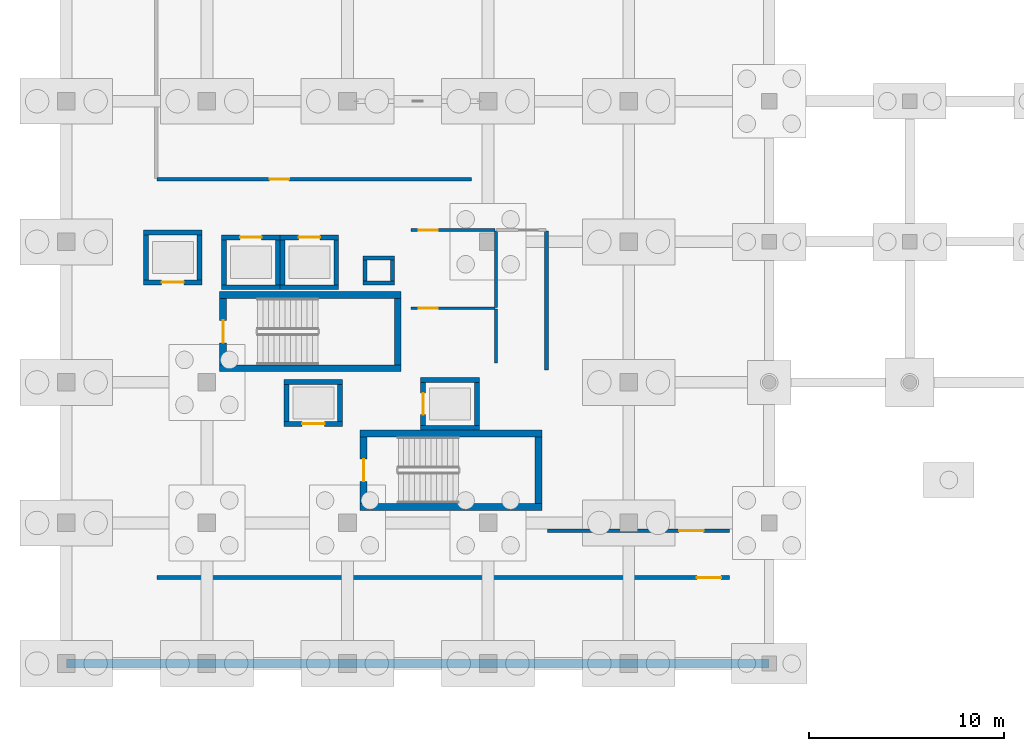
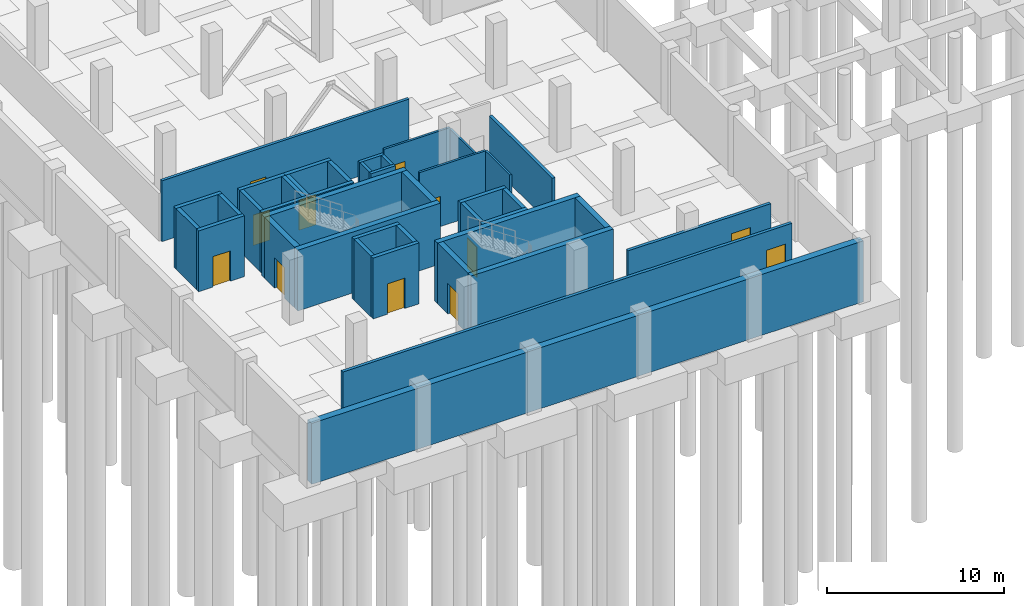
# One storey, part 26 of 36: 41 walls, 12 doors, 12 openings.
"""IFC4 building model written with IfcOpenShell, lengths in metres."""

from ifc_helpers import new_model, si_unit, direction, frame, frame_2d, origin, origin_with_axes, place, context, subcontext, project, spatial, rectangle, extrude, material, layer, layer_set, type_object, element, fill, save


model = new_model("IFC4")

# Units and contexts
model_context = context("Model", 3, precision=1e-05, world=origin(), true_north=direction((0.0, 1.0)))
body_context = subcontext(model_context, "Body", "Model", "MODEL_VIEW")
ifc_project = project(units=[si_unit("LENGTHUNIT", "METRE"), si_unit("AREAUNIT", "SQUARE_METRE"), si_unit("VOLUMEUNIT", "CUBIC_METRE"), si_unit("PLANEANGLEUNIT", "RADIAN"), si_unit("MASSUNIT", "GRAM", prefix="KILO")], contexts=[model_context])

# Site, building, storey
site_placement = place(None, origin())
site = spatial("IfcSite", under=ifc_project, at=site_placement, CompositionType="ELEMENT")
building_placement = place(site_placement, origin())
building = spatial("IfcBuilding", under=site, at=building_placement, Name="Kalmorath City Hall", CompositionType="ELEMENT")
storey_placement = place(building_placement, frame((0.0, 0.0, -4.5)))
storey = spatial("IfcBuildingStorey", under=building, at=storey_placement, Name="B1", CompositionType="ELEMENT", Elevation=-4.5)

# Walls
ifc_material_1 = material(Name="Concrete C40/50", Category="concrete")
ifc_layer_1 = layer(ifc_material_1, 0.449951171875)
ifc_layer_set_1 = layer_set([ifc_layer_1], Name="Concrete C40/50")
wall_type_1 = type_object("IfcWallType", Name="Concrete basement retaining wall 450", PredefinedType="USERDEFINED", material=ifc_layer_set_1)
wall_1_placement = place(storey_placement, origin_with_axes())
element("IfcWall", 1, at=wall_1_placement, inside=storey, type_object=wall_type_1, Name="B1 retaining wall RW2-1", ObjectType="RETAININGWALL", PredefinedType="USERDEFINED", context=body_context, shape_type="SweptSolid", body=[
    extrude(rectangle(XDim=36.0, YDim=0.449951171875, at=frame_2d((18.0, 0.0))), origin(), (0.0, 0.0, 1.0), 4.199951171875),
])
ifc_material_2 = material(Name="Concrete C50/60", Category="concrete")
ifc_layer_2 = layer(ifc_material_2, 0.35009765625)
ifc_layer_set_2 = layer_set([ifc_layer_2], Name="Concrete C50/60")
wall_type_2 = type_object("IfcWallType", Name="Concrete core shear wall 350", PredefinedType="SHEAR", material=ifc_layer_set_2)
for number, where, z_axis, x_axis, name in (
    (2, (7.85009765625, 15.125, 0.0), (0.0, 0.0, 1.0), (1.0, 0.0, 0.0), "B1 C1 stair core shear wall S"),
    (3, (17.14990234375, 18.875, 0.0), (0.0, 0.0, 1.0), (-1.0, 0.0, 0.0), "B1 C1 stair core shear wall N"),
):
    element("IfcWall", number, at=place(storey_placement, frame(where, z_axis=z_axis, x_axis=x_axis)), inside=storey, type_object=wall_type_2, Name=name, PredefinedType="SHEAR", context=body_context, shape_type="SweptSolid", body=[
        extrude(rectangle(XDim=9.2998046875, YDim=0.35009765625, at=frame_2d((4.64990234375, 0.0))), origin(), (0.0, 0.0, 1.0), 4.199951171875),
    ])

# Wall, opening, door
wall_2_placement = place(storey_placement, frame((8.02490234375, 18.699951171875, 0.0), z_axis=(0.0, 0.0, 1.0), x_axis=(0.0, -1.0, 0.0)))
wall_2 = element("IfcWall", 4, at=wall_2_placement, inside=storey, type_object=wall_type_2, Name="B1 C1 stair core shear wall W", PredefinedType="SHEAR", context=body_context, shape_type="SweptSolid", body=[
    extrude(rectangle(XDim=3.39990234375, YDim=0.35009765625, at=frame_2d((1.699951171875, 0.0))), origin(), (0.0, 0.0, 1.0), 4.199951171875),
])
opening_1_placement = place(wall_2_placement, frame((1.125, 0.0, 0.0)))
opening_1 = element("IfcOpeningElement", 5, at=opening_1_placement, cuts=wall_2, Name="Opening D-B1-001", PredefinedType="OPENING", context=body_context, shape_type="SweptSolid", body=[
    extrude(rectangle(XDim=1.14990234375, YDim=2.10009765625, at=frame_2d((0.574951171875, 1.050048828125))), frame((0.0, 0.18505859375, 0.0), z_axis=(0.0, -1.0, 0.0), x_axis=(1.0, 0.0, 0.0)), (0.0, 0.0, 1.0), 0.3701171875),
])
ifc_material_3 = material(Name="Galvanised steel fire door", Category="steel")
door_type_1 = type_object("IfcDoorType", Name="Stair enclosure 90-min fire door 1150x2100", OperationType="NOTDEFINED", PredefinedType="DOOR", material=ifc_material_3)
door_1_placement = place(opening_1_placement, frame((1.14990234375, 0.0, 0.0), z_axis=(0.0, 0.0, 1.0), x_axis=(-1.0, 0.0, 0.0)))
door_1 = element("IfcDoor", 6, at=door_1_placement, inside=storey, type_object=door_type_1, Name="B1 door D-B1-001", OperationType="SINGLE_SWING_LEFT", OverallHeight=2.10009765625, OverallWidth=1.14990234375, PredefinedType="DOOR", context=body_context, shape_type="SweptSolid", body=[
    extrude(rectangle(XDim=1.14990234375, YDim=2.10009765625, at=frame_2d((0.574951171875, 1.050048828125))), frame((0.0, 0.02490234375, 0.0), z_axis=(0.0, -1.0, 0.0), x_axis=(1.0, 0.0, 0.0)), (0.0, 0.0, 1.0), 0.050048828125),
])
fill(opening_1, door_1)

# Walls
wall_3_placement = place(storey_placement, frame((16.97509765625, 15.300048828125, 0.0), z_axis=(0.0, 0.0, 1.0), x_axis=(0.0, 1.0, 0.0)))
element("IfcWall", 7, at=wall_3_placement, inside=storey, type_object=wall_type_2, Name="B1 C1 stair core shear wall E", PredefinedType="SHEAR", context=body_context, shape_type="SweptSolid", body=[
    extrude(rectangle(XDim=3.39990234375, YDim=0.35009765625, at=frame_2d((1.699951171875, 0.0))), origin(), (0.0, 0.0, 1.0), 4.199951171875),
])
for number, where, z_axis, x_axis, name in (
    (8, (15.050048828125, 8.02490234375, 0.0), (0.0, 0.0, 1.0), (1.0, 0.0, 0.0), "B1 C2 stair core shear wall S"),
    (9, (24.35009765625, 11.77490234375, 0.0), (0.0, 0.0, 1.0), (-1.0, 0.0, 0.0), "B1 C2 stair core shear wall N"),
):
    element("IfcWall", number, at=place(storey_placement, frame(where, z_axis=z_axis, x_axis=x_axis)), inside=storey, type_object=wall_type_2, Name=name, PredefinedType="SHEAR", context=body_context, shape_type="SweptSolid", body=[
        extrude(rectangle(XDim=9.300048828125, YDim=0.35009765625, at=frame_2d((4.64990234375, 0.0))), origin(), (0.0, 0.0, 1.0), 4.199951171875),
    ])

# Wall, opening, door
wall_4_placement = place(storey_placement, frame((15.22509765625, 11.60009765625, 0.0), z_axis=(0.0, 0.0, 1.0), x_axis=(0.0, -1.0, 0.0)))
wall_4 = element("IfcWall", 10, at=wall_4_placement, inside=storey, type_object=wall_type_2, Name="B1 C2 stair core shear wall W", PredefinedType="SHEAR", context=body_context, shape_type="SweptSolid", body=[
    extrude(rectangle(XDim=3.400146484375, YDim=0.35009765625, at=frame_2d((1.7001953125, 0.0))), origin(), (0.0, 0.0, 1.0), 4.199951171875),
])
opening_2_placement = place(wall_4_placement, frame((1.125, 0.0, 0.0)))
opening_2 = element("IfcOpeningElement", 11, at=opening_2_placement, cuts=wall_4, Name="Opening D-B1-037", PredefinedType="OPENING", context=body_context, shape_type="SweptSolid", body=[
    extrude(rectangle(XDim=1.14990234375, YDim=2.10009765625, at=frame_2d((0.574951171875, 1.050048828125))), frame((0.0, 0.18505859375, 0.0), z_axis=(0.0, -1.0, 0.0), x_axis=(1.0, 0.0, 0.0)), (0.0, 0.0, 1.0), 0.3701171875),
])
door_2_placement = place(opening_2_placement, frame((1.14990234375, 0.0, 0.0), z_axis=(0.0, 0.0, 1.0), x_axis=(-1.0, 0.0, 0.0)))
door_2 = element("IfcDoor", 12, at=door_2_placement, inside=storey, type_object=door_type_1, Name="B1 door D-B1-037", OperationType="SINGLE_SWING_LEFT", OverallHeight=2.10009765625, OverallWidth=1.14990234375, PredefinedType="DOOR", context=body_context, shape_type="SweptSolid", body=[
    extrude(rectangle(XDim=1.14990234375, YDim=2.10009765625, at=frame_2d((0.574951171875, 1.050048828125))), frame((0.0, 0.02490234375, 0.0), z_axis=(0.0, -1.0, 0.0), x_axis=(1.0, 0.0, 0.0)), (0.0, 0.0, 1.0), 0.050048828125),
])
fill(opening_2, door_2)

# Wall
wall_5_placement = place(storey_placement, frame((24.175048828125, 8.199951171875, 0.0), z_axis=(0.0, 0.0, 1.0), x_axis=(0.0, 1.0, 0.0)))
element("IfcWall", 13, at=wall_5_placement, inside=storey, type_object=wall_type_2, Name="B1 C2 stair core shear wall E", PredefinedType="SHEAR", context=body_context, shape_type="SweptSolid", body=[
    extrude(rectangle(XDim=3.400146484375, YDim=0.35009765625, at=frame_2d((1.7001953125, 0.0))), origin(), (0.0, 0.0, 1.0), 4.199951171875),
])

# Wall, opening, door
ifc_material_4 = material(Name="Concrete C50/60", Category="concrete")
ifc_layer_3 = layer(ifc_material_4, 0.25)
ifc_layer_set_3 = layer_set([ifc_layer_3], Name="Concrete C50/60")
wall_type_3 = type_object("IfcWallType", Name="Concrete lift shaft wall 250", PredefinedType="SHEAR", material=ifc_layer_set_3)
wall_6_placement = place(storey_placement, frame((3.949951171875, 19.52490234375, 0.0), z_axis=(0.0, 0.0, 1.0), x_axis=(1.0, 0.0, 0.0)))
wall_6 = element("IfcWall", 14, at=wall_6_placement, inside=storey, type_object=wall_type_3, Name="B1 FL1 lift shaft wall -y", PredefinedType="SHEAR", context=body_context, shape_type="SweptSolid", body=[
    extrude(rectangle(XDim=3.0, YDim=0.25, at=frame_2d((1.5, 0.0))), origin(), (0.0, 0.0, 1.0), 4.199951171875),
])
opening_3_placement = place(wall_6_placement, frame((0.925048828125, 0.0, 0.0)))
opening_3 = element("IfcOpeningElement", 15, at=opening_3_placement, cuts=wall_6, Name="Opening LD-010", PredefinedType="OPENING", context=body_context, shape_type="SweptSolid", body=[
    extrude(rectangle(XDim=1.14990234375, YDim=2.10009765625, at=frame_2d((0.574951171875, 1.050048828125))), frame((0.0, 0.135009765625, 0.0), z_axis=(0.0, -1.0, 0.0), x_axis=(1.0, 0.0, 0.0)), (0.0, 0.0, 1.0), 0.27001953125),
])
ifc_material_5 = material(Name="Stainless steel sliding landing door", Category="steel")
door_type_2 = type_object("IfcDoorType", Name="Firefighting lift sliding landing door 1150x2100", OperationType="SLIDING_TO_RIGHT", PredefinedType="DOOR", material=ifc_material_5)
door_3_placement = place(opening_3_placement, origin())
door_3 = element("IfcDoor", 16, at=door_3_placement, inside=storey, type_object=door_type_2, Name="B1 door LD-010", OperationType="SLIDING_TO_RIGHT", OverallHeight=2.10009765625, OverallWidth=1.14990234375, PredefinedType="DOOR", context=body_context, shape_type="SweptSolid", body=[
    extrude(rectangle(XDim=1.14990234375, YDim=2.10009765625, at=frame_2d((0.574951171875, 1.050048828125))), frame((0.0, 0.02490234375, 0.0), z_axis=(0.0, -1.0, 0.0), x_axis=(1.0, 0.0, 0.0)), (0.0, 0.0, 1.0), 0.050048828125),
])
fill(opening_3, door_3)

# Walls
wall_7_placement = place(storey_placement, frame((6.949951171875, 22.074951171875, 0.0), z_axis=(0.0, 0.0, 1.0), x_axis=(-1.0, 0.0, 0.0)))
element("IfcWall", 17, at=wall_7_placement, inside=storey, type_object=wall_type_3, Name="B1 FL1 lift shaft wall +y", PredefinedType="SHEAR", context=body_context, shape_type="SweptSolid", body=[
    extrude(rectangle(XDim=3.0, YDim=0.25, at=frame_2d((1.5, 0.0))), origin(), (0.0, 0.0, 1.0), 4.199951171875),
])
for number, where, z_axis, x_axis, name in (
    (18, (4.074951171875, 21.949951171875, 0.0), (0.0, 0.0, 1.0), (0.0, -1.0, 0.0), "B1 FL1 lift shaft wall -x"),
    (19, (6.824951171875, 19.64990234375, 0.0), (0.0, 0.0, 1.0), (0.0, 1.0, 0.0), "B1 FL1 lift shaft wall +x"),
):
    element("IfcWall", number, at=place(storey_placement, frame(where, z_axis=z_axis, x_axis=x_axis)), inside=storey, type_object=wall_type_3, Name=name, PredefinedType="SHEAR", context=body_context, shape_type="SweptSolid", body=[
        extrude(rectangle(XDim=2.300048828125, YDim=0.25, at=frame_2d((1.14990234375, 0.0))), origin(), (0.0, 0.0, 1.0), 4.199951171875),
    ])
wall_8_placement = place(storey_placement, frame((7.949951171875, 19.27490234375, 0.0), z_axis=(0.0, 0.0, 1.0), x_axis=(1.0, 0.0, 0.0)))
element("IfcWall", 20, at=wall_8_placement, inside=storey, type_object=wall_type_3, Name="B1 PL1 lift shaft wall -y", PredefinedType="SHEAR", context=body_context, shape_type="SweptSolid", body=[
    extrude(rectangle(XDim=3.0, YDim=0.25, at=frame_2d((1.5, 0.0))), origin(), (0.0, 0.0, 1.0), 4.199951171875),
])

# Wall, opening, door
wall_9_placement = place(storey_placement, frame((10.949951171875, 21.824951171875, 0.0), z_axis=(0.0, 0.0, 1.0), x_axis=(-1.0, 0.0, 0.0)))
wall_9 = element("IfcWall", 21, at=wall_9_placement, inside=storey, type_object=wall_type_3, Name="B1 PL1 lift shaft wall +y", PredefinedType="SHEAR", context=body_context, shape_type="SweptSolid", body=[
    extrude(rectangle(XDim=3.0, YDim=0.25, at=frame_2d((1.5, 0.0))), origin(), (0.0, 0.0, 1.0), 4.199951171875),
])
opening_4_placement = place(wall_9_placement, frame((0.949951171875, 0.0, 0.0)))
opening_4 = element("IfcOpeningElement", 22, at=opening_4_placement, cuts=wall_9, Name="Opening LD-019", PredefinedType="OPENING", context=body_context, shape_type="SweptSolid", body=[
    extrude(rectangle(XDim=1.10009765625, YDim=2.10009765625, at=frame_2d((0.550048828125, 1.050048828125))), frame((0.0, 0.135009765625, 0.0), z_axis=(0.0, -1.0, 0.0), x_axis=(1.0, 0.0, 0.0)), (0.0, 0.0, 1.0), 0.27001953125),
])
ifc_material_6 = material(Name="Stainless steel sliding landing door", Category="steel")
door_type_3 = type_object("IfcDoorType", Name="Passenger lift sliding landing door 1100x2100", OperationType="SLIDING_TO_LEFT", PredefinedType="DOOR", material=ifc_material_6)
door_4_placement = place(opening_4_placement, origin())
door_4 = element("IfcDoor", 23, at=door_4_placement, inside=storey, type_object=door_type_3, Name="B1 door LD-019", OperationType="SLIDING_TO_LEFT", OverallHeight=2.10009765625, OverallWidth=1.10009765625, PredefinedType="DOOR", context=body_context, shape_type="SweptSolid", body=[
    extrude(rectangle(XDim=1.10009765625, YDim=2.10009765625, at=frame_2d((0.550048828125, 1.050048828125))), frame((0.0, 0.02490234375, 0.0), z_axis=(0.0, -1.0, 0.0), x_axis=(1.0, 0.0, 0.0)), (0.0, 0.0, 1.0), 0.050048828125),
])
fill(opening_4, door_4)

# Walls
for number, where, z_axis, x_axis, name in (
    (24, (8.074951171875, 21.699951171875, 0.0), (0.0, 0.0, 1.0), (0.0, -1.0, 0.0), "B1 PL1 lift shaft wall -x"),
    (25, (10.824951171875, 19.39990234375, 0.0), (0.0, 0.0, 1.0), (0.0, 1.0, 0.0), "B1 PL1 lift shaft wall +x"),
):
    element("IfcWall", number, at=place(storey_placement, frame(where, z_axis=z_axis, x_axis=x_axis)), inside=storey, type_object=wall_type_3, Name=name, PredefinedType="SHEAR", context=body_context, shape_type="SweptSolid", body=[
        extrude(rectangle(XDim=2.300048828125, YDim=0.25, at=frame_2d((1.14990234375, 0.0))), origin(), (0.0, 0.0, 1.0), 4.199951171875),
    ])
wall_10_placement = place(storey_placement, frame((10.949951171875, 19.27490234375, 0.0), z_axis=(0.0, 0.0, 1.0), x_axis=(1.0, 0.0, 0.0)))
element("IfcWall", 26, at=wall_10_placement, inside=storey, type_object=wall_type_3, Name="B1 PL2 lift shaft wall -y", PredefinedType="SHEAR", context=body_context, shape_type="SweptSolid", body=[
    extrude(rectangle(XDim=3.0, YDim=0.25, at=frame_2d((1.5, 0.0))), origin(), (0.0, 0.0, 1.0), 4.199951171875),
])

# Wall, opening, door
wall_11_placement = place(storey_placement, frame((13.949951171875, 21.824951171875, 0.0), z_axis=(0.0, 0.0, 1.0), x_axis=(-1.0, 0.0, 0.0)))
wall_11 = element("IfcWall", 27, at=wall_11_placement, inside=storey, type_object=wall_type_3, Name="B1 PL2 lift shaft wall +y", PredefinedType="SHEAR", context=body_context, shape_type="SweptSolid", body=[
    extrude(rectangle(XDim=3.0, YDim=0.25, at=frame_2d((1.5, 0.0))), origin(), (0.0, 0.0, 1.0), 4.199951171875),
])
opening_5_placement = place(wall_11_placement, frame((0.949951171875, 0.0, 0.0)))
opening_5 = element("IfcOpeningElement", 28, at=opening_5_placement, cuts=wall_11, Name="Opening LD-028", PredefinedType="OPENING", context=body_context, shape_type="SweptSolid", body=[
    extrude(rectangle(XDim=1.10009765625, YDim=2.10009765625, at=frame_2d((0.550048828125, 1.050048828125))), frame((0.0, 0.135009765625, 0.0), z_axis=(0.0, -1.0, 0.0), x_axis=(1.0, 0.0, 0.0)), (0.0, 0.0, 1.0), 0.27001953125),
])
door_5_placement = place(opening_5_placement, origin())
door_5 = element("IfcDoor", 29, at=door_5_placement, inside=storey, type_object=door_type_3, Name="B1 door LD-028", OperationType="SLIDING_TO_LEFT", OverallHeight=2.10009765625, OverallWidth=1.10009765625, PredefinedType="DOOR", context=body_context, shape_type="SweptSolid", body=[
    extrude(rectangle(XDim=1.10009765625, YDim=2.10009765625, at=frame_2d((0.550048828125, 1.050048828125))), frame((0.0, 0.02490234375, 0.0), z_axis=(0.0, -1.0, 0.0), x_axis=(1.0, 0.0, 0.0)), (0.0, 0.0, 1.0), 0.050048828125),
])
fill(opening_5, door_5)

# Walls
for number, where, z_axis, x_axis, name in (
    (30, (11.074951171875, 21.699951171875, 0.0), (0.0, 0.0, 1.0), (0.0, -1.0, 0.0), "B1 PL2 lift shaft wall -x"),
    (31, (13.824951171875, 19.39990234375, 0.0), (0.0, 0.0, 1.0), (0.0, 1.0, 0.0), "B1 PL2 lift shaft wall +x"),
):
    element("IfcWall", number, at=place(storey_placement, frame(where, z_axis=z_axis, x_axis=x_axis)), inside=storey, type_object=wall_type_3, Name=name, PredefinedType="SHEAR", context=body_context, shape_type="SweptSolid", body=[
        extrude(rectangle(XDim=2.300048828125, YDim=0.25, at=frame_2d((1.14990234375, 0.0))), origin(), (0.0, 0.0, 1.0), 4.199951171875),
    ])

# Wall, opening, door
wall_12_placement = place(storey_placement, frame((11.14990234375, 12.27490234375, 0.0), z_axis=(0.0, 0.0, 1.0), x_axis=(1.0, 0.0, 0.0)))
wall_12 = element("IfcWall", 32, at=wall_12_placement, inside=storey, type_object=wall_type_3, Name="B1 FL2 lift shaft wall -y", PredefinedType="SHEAR", context=body_context, shape_type="SweptSolid", body=[
    extrude(rectangle(XDim=3.0, YDim=0.25, at=frame_2d((1.5, 0.0))), origin(), (0.0, 0.0, 1.0), 4.199951171875),
])
opening_6_placement = place(wall_12_placement, frame((0.925048828125, 0.0, 0.0)))
opening_6 = element("IfcOpeningElement", 33, at=opening_6_placement, cuts=wall_12, Name="Opening LD-046", PredefinedType="OPENING", context=body_context, shape_type="SweptSolid", body=[
    extrude(rectangle(XDim=1.14990234375, YDim=2.10009765625, at=frame_2d((0.574951171875, 1.050048828125))), frame((0.0, 0.135009765625, 0.0), z_axis=(0.0, -1.0, 0.0), x_axis=(1.0, 0.0, 0.0)), (0.0, 0.0, 1.0), 0.27001953125),
])
door_6_placement = place(opening_6_placement, origin())
door_6 = element("IfcDoor", 34, at=door_6_placement, inside=storey, type_object=door_type_2, Name="B1 door LD-046", OperationType="SLIDING_TO_RIGHT", OverallHeight=2.10009765625, OverallWidth=1.14990234375, PredefinedType="DOOR", context=body_context, shape_type="SweptSolid", body=[
    extrude(rectangle(XDim=1.14990234375, YDim=2.10009765625, at=frame_2d((0.574951171875, 1.050048828125))), frame((0.0, 0.02490234375, 0.0), z_axis=(0.0, -1.0, 0.0), x_axis=(1.0, 0.0, 0.0)), (0.0, 0.0, 1.0), 0.050048828125),
])
fill(opening_6, door_6)

# Walls
wall_13_placement = place(storey_placement, frame((14.14990234375, 14.425048828125, 0.0), z_axis=(0.0, 0.0, 1.0), x_axis=(-1.0, 0.0, 0.0)))
element("IfcWall", 35, at=wall_13_placement, inside=storey, type_object=wall_type_3, Name="B1 FL2 lift shaft wall +y", PredefinedType="SHEAR", context=body_context, shape_type="SweptSolid", body=[
    extrude(rectangle(XDim=3.0, YDim=0.25, at=frame_2d((1.5, 0.0))), origin(), (0.0, 0.0, 1.0), 4.199951171875),
])
for number, where, z_axis, x_axis, name in (
    (36, (11.27490234375, 14.300048828125, 0.0), (0.0, 0.0, 1.0), (0.0, -1.0, 0.0), "B1 FL2 lift shaft wall -x"),
    (37, (14.02490234375, 12.39990234375, 0.0), (0.0, 0.0, 1.0), (0.0, 1.0, 0.0), "B1 FL2 lift shaft wall +x"),
):
    element("IfcWall", number, at=place(storey_placement, frame(where, z_axis=z_axis, x_axis=x_axis)), inside=storey, type_object=wall_type_3, Name=name, PredefinedType="SHEAR", context=body_context, shape_type="SweptSolid", body=[
        extrude(rectangle(XDim=1.900146484375, YDim=0.25, at=frame_2d((0.9501953125, 0.0))), origin(), (0.0, 0.0, 1.0), 4.199951171875),
    ])
for number, where, z_axis, x_axis, name in (
    (38, (18.14990234375, 12.074951171875, 0.0), (0.0, 0.0, 1.0), (1.0, 0.0, 0.0), "B1 PL3 lift shaft wall -y"),
    (39, (21.14990234375, 14.52490234375, 0.0), (0.0, 0.0, 1.0), (-1.0, 0.0, 0.0), "B1 PL3 lift shaft wall +y"),
):
    element("IfcWall", number, at=place(storey_placement, frame(where, z_axis=z_axis, x_axis=x_axis)), inside=storey, type_object=wall_type_3, Name=name, PredefinedType="SHEAR", context=body_context, shape_type="SweptSolid", body=[
        extrude(rectangle(XDim=3.0, YDim=0.25, at=frame_2d((1.5, 0.0))), origin(), (0.0, 0.0, 1.0), 4.199951171875),
    ])

# Wall, opening, door
wall_14_placement = place(storey_placement, frame((18.27490234375, 14.39990234375, 0.0), z_axis=(0.0, 0.0, 1.0), x_axis=(0.0, -1.0, 0.0)))
wall_14 = element("IfcWall", 40, at=wall_14_placement, inside=storey, type_object=wall_type_3, Name="B1 PL3 lift shaft wall -x", PredefinedType="SHEAR", context=body_context, shape_type="SweptSolid", body=[
    extrude(rectangle(XDim=2.199951171875, YDim=0.25, at=frame_2d((1.10009765625, 0.0))), origin(), (0.0, 0.0, 1.0), 4.199951171875),
])
opening_7_placement = place(wall_14_placement, frame((0.550048828125, 0.0, 0.0)))
opening_7 = element("IfcOpeningElement", 41, at=opening_7_placement, cuts=wall_14, Name="Opening LD-055", PredefinedType="OPENING", context=body_context, shape_type="SweptSolid", body=[
    extrude(rectangle(XDim=1.10009765625, YDim=2.10009765625, at=frame_2d((0.550048828125, 1.050048828125))), frame((0.0, 0.135009765625, 0.0), z_axis=(0.0, -1.0, 0.0), x_axis=(1.0, 0.0, 0.0)), (0.0, 0.0, 1.0), 0.27001953125),
])
door_7_placement = place(opening_7_placement, origin())
door_7 = element("IfcDoor", 42, at=door_7_placement, inside=storey, type_object=door_type_3, Name="B1 door LD-055", OperationType="SLIDING_TO_LEFT", OverallHeight=2.10009765625, OverallWidth=1.10009765625, PredefinedType="DOOR", context=body_context, shape_type="SweptSolid", body=[
    extrude(rectangle(XDim=1.10009765625, YDim=2.10009765625, at=frame_2d((0.550048828125, 1.050048828125))), frame((0.0, 0.02490234375, 0.0), z_axis=(0.0, -1.0, 0.0), x_axis=(1.0, 0.0, 0.0)), (0.0, 0.0, 1.0), 0.050048828125),
])
fill(opening_7, door_7)

# Walls
wall_15_placement = place(storey_placement, frame((21.02490234375, 12.199951171875, 0.0), z_axis=(0.0, 0.0, 1.0), x_axis=(0.0, 1.0, 0.0)))
element("IfcWall", 43, at=wall_15_placement, inside=storey, type_object=wall_type_3, Name="B1 PL3 lift shaft wall +x", PredefinedType="SHEAR", context=body_context, shape_type="SweptSolid", body=[
    extrude(rectangle(XDim=2.199951171875, YDim=0.25, at=frame_2d((1.10009765625, 0.0))), origin(), (0.0, 0.0, 1.0), 4.199951171875),
])
ifc_material_7 = material(Name="Concrete C40/50", Category="concrete")
ifc_layer_4 = layer(ifc_material_7, 0.199951171875)
ifc_layer_set_4 = layer_set([ifc_layer_4], Name="Concrete C40/50")
wall_type_4 = type_object("IfcWallType", Name="Concrete service riser wall 200", PredefinedType="SOLIDWALL", material=ifc_layer_set_4)
for number, where, z_axis, x_axis, name in (
    (44, (15.199951171875, 19.5, 0.0), (0.0, 0.0, 1.0), (1.0, 0.0, 0.0), "B1 RSR-1 riser shaft wall S"),
    (45, (16.800048828125, 20.780029296875, 0.0), (0.0, 0.0, 1.0), (-1.0, 0.0, 0.0), "B1 RSR-1 riser shaft wall N"),
):
    element("IfcWall", number, at=place(storey_placement, frame(where, z_axis=z_axis, x_axis=x_axis)), inside=storey, type_object=wall_type_4, Name=name, PredefinedType="SOLIDWALL", context=body_context, shape_type="SweptSolid", body=[
        extrude(rectangle(XDim=1.60009765625, YDim=0.199951171875, at=frame_2d((0.800048828125, 0.0))), origin(), (0.0, 0.0, 1.0), 4.199951171875),
    ])
for number, where, z_axis, x_axis, name in (
    (46, (15.300048828125, 20.679931640625, 0.0), (0.0, 0.0, 1.0), (0.0, -1.0, 0.0), "B1 RSR-1 riser shaft wall W"),
    (47, (16.699951171875, 19.60009765625, 0.0), (0.0, 0.0, 1.0), (0.0, 1.0, 0.0), "B1 RSR-1 riser shaft wall E"),
):
    element("IfcWall", number, at=place(storey_placement, frame(where, z_axis=z_axis, x_axis=x_axis)), inside=storey, type_object=wall_type_4, Name=name, PredefinedType="SOLIDWALL", context=body_context, shape_type="SweptSolid", body=[
        extrude(rectangle(XDim=1.079833984375, YDim=0.199951171875, at=frame_2d((0.5400390625, 0.0))), origin(), (0.0, 0.0, 1.0), 4.199951171875),
    ])

# Wall, opening, door
ifc_material_8 = material(Name="Fire-rated acoustic gypsum partition")
ifc_layer_5 = layer(ifc_material_8, 0.179931640625)
ifc_layer_set_5 = layer_set([ifc_layer_5], Name="Fire-rated acoustic gypsum partition")
wall_type_5 = type_object("IfcWallType", Name="One-hour corridor fire partition 180", PredefinedType="PARTITIONING", material=ifc_layer_set_5)
wall_16_placement = place(storey_placement, frame((4.639892578125, 24.800048828125, 0.0), z_axis=(0.0, 0.0, 1.0), x_axis=(1.0, 0.0, 0.0)))
wall_16 = element("IfcWall", 48, at=wall_16_placement, inside=storey, type_object=wall_type_5, Name="B1 interior partition PW2 #7", PredefinedType="PARTITIONING", context=body_context, shape_type="SweptSolid", body=[
    extrude(rectangle(XDim=16.1201171875, YDim=0.179931640625, at=frame_2d((8.06005859375, 0.0))), origin(), (0.0, 0.0, 1.0), 4.199951171875),
])
opening_8_placement = place(wall_16_placement, frame((5.77490234375, 0.0, 0.0)))
opening_8 = element("IfcOpeningElement", 49, at=opening_8_placement, cuts=wall_16, Name="Opening D-B1-111", PredefinedType="OPENING", context=body_context, shape_type="SweptSolid", body=[
    extrude(rectangle(XDim=1.0, YDim=2.10009765625, at=frame_2d((0.5, 1.050048828125))), frame((0.0, 0.099853515625, 0.0), z_axis=(0.0, -1.0, 0.0), x_axis=(1.0, 0.0, 0.0)), (0.0, 0.0, 1.0), 0.199951171875),
])
ifc_material_9 = material(Name="Hardwood fire door", Category="wood")
door_type_4 = type_object("IfcDoorType", Name="Corridor 60-min fire door 1000x2100", OperationType="NOTDEFINED", PredefinedType="DOOR", material=ifc_material_9)
door_8_placement = place(opening_8_placement, origin())
door_8 = element("IfcDoor", 50, at=door_8_placement, inside=storey, type_object=door_type_4, Name="B1 door D-B1-111", OperationType="SINGLE_SWING_LEFT", OverallHeight=2.10009765625, OverallWidth=1.0, PredefinedType="DOOR", context=body_context, shape_type="SweptSolid", body=[
    extrude(rectangle(XDim=1.0, YDim=2.10009765625, at=frame_2d((0.5, 1.050048828125))), frame((0.0, 0.02490234375, 0.0), z_axis=(0.0, -1.0, 0.0), x_axis=(1.0, 0.0, 0.0)), (0.0, 0.0, 1.0), 0.050048828125),
])
fill(opening_8, door_8)

ifc_material_10 = material(Name="Moisture-resistant fire-rated partition")
ifc_layer_6 = layer(ifc_material_10, 0.139892578125)
ifc_layer_set_6 = layer_set([ifc_layer_6], Name="Moisture-resistant fire-rated partition")
wall_type_6 = type_object("IfcWallType", Name="Restroom wet-wall tile partition 140", PredefinedType="PARTITIONING", material=ifc_layer_set_6)
wall_17_placement = place(storey_placement, frame((17.639892578125, 22.199951171875, 0.0), z_axis=(0.0, 0.0, 1.0), x_axis=(1.0, 0.0, 0.0)))
wall_17 = element("IfcWall", 51, at=wall_17_placement, inside=storey, type_object=wall_type_6, Name="B1 interior partition PW5 #8", PredefinedType="PARTITIONING", context=body_context, shape_type="SweptSolid", body=[
    extrude(rectangle(XDim=4.320068359375, YDim=0.139892578125, at=frame_2d((2.16015625, 0.0))), origin(), (0.0, 0.0, 1.0), 3.381103515625),
])
opening_9_placement = place(wall_17_placement, frame((0.419921875, 0.0, 0.0)))
opening_9 = element("IfcOpeningElement", 52, at=opening_9_placement, cuts=wall_17, Name="Opening D-B1-120", PredefinedType="OPENING", context=body_context, shape_type="SweptSolid", body=[
    extrude(rectangle(XDim=0.949951171875, YDim=2.080078125, at=frame_2d((0.47509765625, 1.0400390625))), frame((0.0, 0.079833984375, 0.0), z_axis=(0.0, -1.0, 0.0), x_axis=(1.0, 0.0, 0.0)), (0.0, 0.0, 1.0), 0.159912109375),
])
ifc_material_11 = material(Name="Laminate solid-core door")
door_type_5 = type_object("IfcDoorType", Name="Restroom accessible door 950x2080", OperationType="NOTDEFINED", PredefinedType="DOOR", material=ifc_material_11)
door_9_placement = place(opening_9_placement, origin())
door_9 = element("IfcDoor", 53, at=door_9_placement, inside=storey, type_object=door_type_5, Name="B1 door D-B1-120", OperationType="SINGLE_SWING_RIGHT", OverallHeight=2.080078125, OverallWidth=0.949951171875, PredefinedType="DOOR", context=body_context, shape_type="SweptSolid", body=[
    extrude(rectangle(XDim=0.949951171875, YDim=2.080078125, at=frame_2d((0.47509765625, 1.0400390625))), frame((0.0, 0.02490234375, 0.0), z_axis=(0.0, -1.0, 0.0), x_axis=(1.0, 0.0, 0.0)), (0.0, 0.0, 1.0), 0.050048828125),
])
fill(opening_9, door_9)

wall_18_placement = place(storey_placement, frame((17.639892578125, 18.199951171875, 0.0), z_axis=(0.0, 0.0, 1.0), x_axis=(1.0, 0.0, 0.0)))
wall_18 = element("IfcWall", 54, at=wall_18_placement, inside=storey, type_object=wall_type_6, Name="B1 interior partition PW5 #16", PredefinedType="PARTITIONING", context=body_context, shape_type="SweptSolid", body=[
    extrude(rectangle(XDim=4.320068359375, YDim=0.139892578125, at=frame_2d((2.16015625, 0.0))), origin(), (0.0, 0.0, 1.0), 4.199951171875),
])
opening_10_placement = place(wall_18_placement, frame((0.419921875, 0.0, 0.0)))
opening_10 = element("IfcOpeningElement", 55, at=opening_10_placement, cuts=wall_18, Name="Opening D-B1-119", PredefinedType="OPENING", context=body_context, shape_type="SweptSolid", body=[
    extrude(rectangle(XDim=0.949951171875, YDim=2.080078125, at=frame_2d((0.47509765625, 1.0400390625))), frame((0.0, 0.079833984375, 0.0), z_axis=(0.0, -1.0, 0.0), x_axis=(1.0, 0.0, 0.0)), (0.0, 0.0, 1.0), 0.159912109375),
])
door_10_placement = place(opening_10_placement, origin())
door_10 = element("IfcDoor", 56, at=door_10_placement, inside=storey, type_object=door_type_5, Name="B1 door D-B1-119", OperationType="SINGLE_SWING_LEFT", OverallHeight=2.080078125, OverallWidth=0.949951171875, PredefinedType="DOOR", context=body_context, shape_type="SweptSolid", body=[
    extrude(rectangle(XDim=0.949951171875, YDim=2.080078125, at=frame_2d((0.47509765625, 1.0400390625))), frame((0.0, 0.02490234375, 0.0), z_axis=(0.0, -1.0, 0.0), x_axis=(1.0, 0.0, 0.0)), (0.0, 0.0, 1.0), 0.050048828125),
])
fill(opening_10, door_10)

# Walls
wall_19_placement = place(storey_placement, frame((22.0, 15.389892578125, 0.0), z_axis=(0.0, 0.0, 1.0), x_axis=(0.0, 1.0, 0.0)))
element("IfcWall", 57, at=wall_19_placement, inside=storey, type_object=wall_type_6, Name="B1 interior partition PW5 #17", PredefinedType="PARTITIONING", context=body_context, shape_type="SweptSolid", body=[
    extrude(rectangle(XDim=2.77001953125, YDim=0.139892578125, at=frame_2d((1.385009765625, 0.0))), origin(), (0.0, 0.0, 1.0), 4.199951171875),
])
wall_20_placement = place(storey_placement, frame((22.0, 18.239990234375, 0.0), z_axis=(0.0, 0.0, 1.0), x_axis=(0.0, 1.0, 0.0)))
element("IfcWall", 58, at=wall_20_placement, inside=storey, type_object=wall_type_6, Name="B1 interior partition PW5 #18", PredefinedType="PARTITIONING", context=body_context, shape_type="SweptSolid", body=[
    extrude(rectangle(XDim=3.919921875, YDim=0.139892578125, at=frame_2d((1.9599609375, 0.0))), origin(), (0.0, 0.0, 1.0), 3.281005859375),
])

# Wall, opening, door
ifc_material_12 = material(Name="Gypsum fire-rated shaftliner partition")
ifc_layer_7 = layer(ifc_material_12, 0.199951171875)
ifc_layer_set_7 = layer_set([ifc_layer_7], Name="Gypsum fire-rated shaftliner partition")
wall_type_7 = type_object("IfcWallType", Name="Two-hour fire barrier partition 200", PredefinedType="PARTITIONING", material=ifc_layer_set_7)
wall_21_placement = place(storey_placement, frame((4.639892578125, 4.39990234375, 0.0), z_axis=(0.0, 0.0, 1.0), x_axis=(1.0, 0.0, 0.0)))
wall_21 = element("IfcWall", 59, at=wall_21_placement, inside=storey, type_object=wall_type_7, Name="B1 interior partition PW1 #5", PredefinedType="PARTITIONING", context=body_context, shape_type="SweptSolid", body=[
    extrude(rectangle(XDim=29.320068359375, YDim=0.199951171875, at=frame_2d((14.66015625, 0.0))), origin(), (0.0, 0.0, 1.0), 3.381103515625),
])
opening_11_placement = place(wall_21_placement, frame((27.64990234375, 0.0, 0.0)))
opening_11 = element("IfcOpeningElement", 60, at=opening_11_placement, cuts=wall_21, Name="Opening D-B1-108", PredefinedType="OPENING", context=body_context, shape_type="SweptSolid", body=[
    extrude(rectangle(XDim=1.25, YDim=2.10009765625, at=frame_2d((0.625, 1.050048828125))), frame((0.0, 0.10986328125, 0.0), z_axis=(0.0, -1.0, 0.0), x_axis=(1.0, 0.0, 0.0)), (0.0, 0.0, 1.0), 0.219970703125),
])
ifc_material_13 = material(Name="Galvanised steel fire door", Category="steel")
door_type_6 = type_object("IfcDoorType", Name="Plant and archive 90-min fire door 1250x2100", OperationType="NOTDEFINED", PredefinedType="DOOR", material=ifc_material_13)
door_11_placement = place(opening_11_placement, origin())
door_11 = element("IfcDoor", 61, at=door_11_placement, inside=storey, type_object=door_type_6, Name="B1 door D-B1-108", OperationType="SINGLE_SWING_RIGHT", OverallHeight=2.10009765625, OverallWidth=1.25, PredefinedType="DOOR", context=body_context, shape_type="SweptSolid", body=[
    extrude(rectangle(XDim=1.25, YDim=2.10009765625, at=frame_2d((0.625, 1.050048828125))), frame((0.0, 0.02490234375, 0.0), z_axis=(0.0, -1.0, 0.0), x_axis=(1.0, 0.0, 0.0)), (0.0, 0.0, 1.0), 0.050048828125),
])
fill(opening_11, door_11)

wall_22_placement = place(storey_placement, frame((24.639892578125, 6.800048828125, 0.0), z_axis=(0.0, 0.0, 1.0), x_axis=(1.0, 0.0, 0.0)))
wall_22 = element("IfcWall", 62, at=wall_22_placement, inside=storey, type_object=wall_type_7, Name="B1 interior partition PW1 #6", PredefinedType="PARTITIONING", context=body_context, shape_type="SweptSolid", body=[
    extrude(rectangle(XDim=9.320068359375, YDim=0.199951171875, at=frame_2d((4.66015625, 0.0))), origin(), (0.0, 0.0, 1.0), 3.281005859375),
])
opening_12_placement = place(wall_22_placement, frame((6.74609375, 0.0, 0.0)))
opening_12 = element("IfcOpeningElement", 63, at=opening_12_placement, cuts=wall_22, Name="Opening D-B1-109", PredefinedType="OPENING", context=body_context, shape_type="SweptSolid", body=[
    extrude(rectangle(XDim=1.25, YDim=2.10009765625, at=frame_2d((0.625, 1.050048828125))), frame((0.0, 0.10986328125, 0.0), z_axis=(0.0, -1.0, 0.0), x_axis=(1.0, 0.0, 0.0)), (0.0, 0.0, 1.0), 0.219970703125),
])
door_12_placement = place(opening_12_placement, origin())
door_12 = element("IfcDoor", 64, at=door_12_placement, inside=storey, type_object=door_type_6, Name="B1 door D-B1-109", OperationType="SINGLE_SWING_LEFT", OverallHeight=2.10009765625, OverallWidth=1.25, PredefinedType="DOOR", context=body_context, shape_type="SweptSolid", body=[
    extrude(rectangle(XDim=1.25, YDim=2.10009765625, at=frame_2d((0.625, 1.050048828125))), frame((0.0, 0.02490234375, 0.0), z_axis=(0.0, -1.0, 0.0), x_axis=(1.0, 0.0, 0.0)), (0.0, 0.0, 1.0), 0.050048828125),
])
fill(opening_12, door_12)

# Wall
wall_23_placement = place(storey_placement, frame((24.60009765625, 15.0400390625, 0.0), z_axis=(0.0, 0.0, 1.0), x_axis=(0.0, 1.0, 0.0)))
element("IfcWall", 65, at=wall_23_placement, inside=storey, type_object=wall_type_7, Name="B1 interior partition PW1 #10", PredefinedType="PARTITIONING", context=body_context, shape_type="SweptSolid", body=[
    extrude(rectangle(XDim=7.119873046875, YDim=0.199951171875, at=frame_2d((3.56005859375, 0.0))), origin(), (0.0, 0.0, 1.0), 3.281005859375),
])

save(model, "model.ifc")
